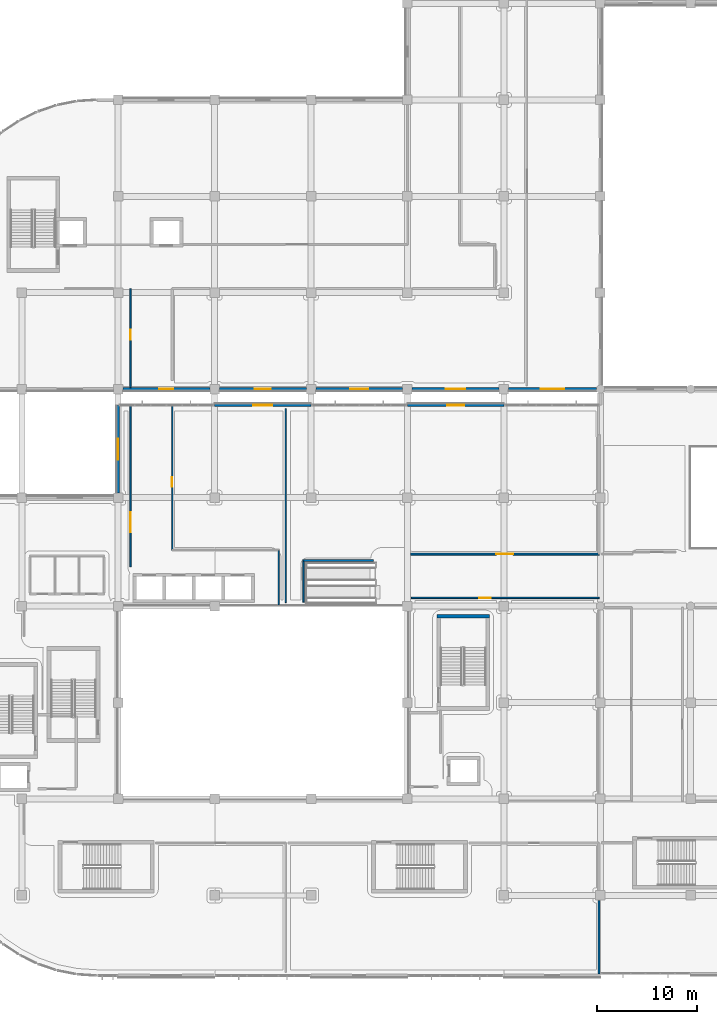
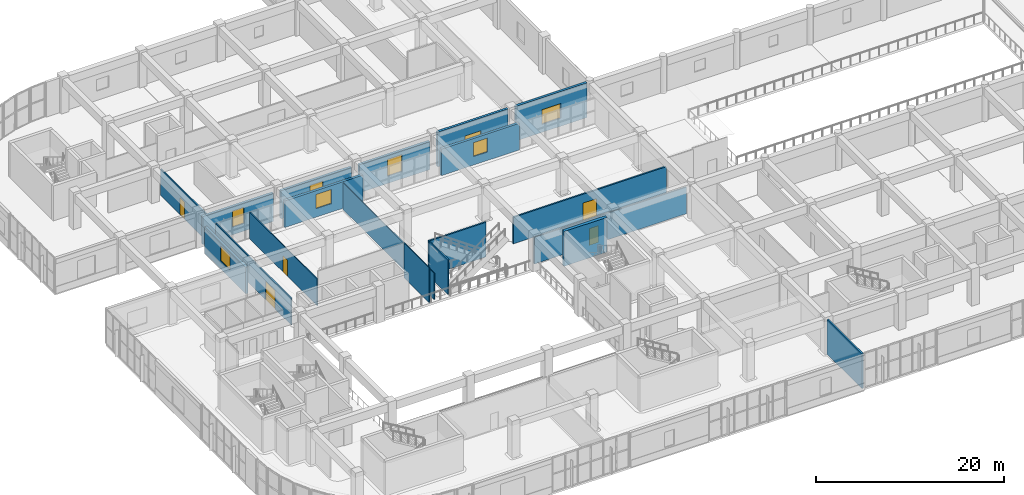
# One storey, part 53 of 86: 19 walls, 8 windows, 5 doors, 13 openings.
"""IFC4 building model written with IfcOpenShell, lengths in metres."""

from ifc_helpers import new_model, si_unit, direction, frame, frame_2d, origin, place, context, subcontext, project, spatial, rectangle, extrude, material, layer, layer_set, type_object, element, fill, save


model = new_model("IFC4")

# Units and contexts
model_context = context("Model", 3, precision=1e-05, world=origin(), true_north=direction((0.0, 1.0)))
body_context = subcontext(model_context, "Body", "Model", "MODEL_VIEW")
ifc_project = project(units=[si_unit("LENGTHUNIT", "METRE"), si_unit("AREAUNIT", "SQUARE_METRE"), si_unit("VOLUMEUNIT", "CUBIC_METRE"), si_unit("PLANEANGLEUNIT", "RADIAN"), si_unit("MASSUNIT", "GRAM", prefix="KILO")], contexts=[model_context])

# Site, building, storey
site_placement = place(None, origin())
site = spatial("IfcSite", under=ifc_project, at=site_placement, CompositionType="ELEMENT")
building_placement = place(site_placement, origin())
building = spatial("IfcBuilding", under=site, at=building_placement, Name="Cendralis Terraced Arcade", CompositionType="ELEMENT")
storey_placement = place(building_placement, frame((0.0, 0.0, 5.39990234375)))
storey = spatial("IfcBuildingStorey", under=building, at=storey_placement, Name="L01", CompositionType="ELEMENT", Elevation=5.39990234375)

# Walls
ifc_material_1 = material(Name="Gypsum plasterboard acoustic partition", Category="concrete")
ifc_layer_1 = layer(ifc_material_1, 0.199951171875, Name="WL-ACOU-200")
ifc_layer_set_1 = layer_set([ifc_layer_1], Name="Gypsum plasterboard acoustic partition")
wall_type_1 = type_object("IfcWallType", Name="WL-ACOU-200", PredefinedType="PARTITIONING", material=ifc_layer_set_1)
wall_1_placement = place(storey_placement, frame((67.080078125, 9.10498046875, 0.0), z_axis=(0.0, 0.0, 1.0), x_axis=(0.0, -1.0, 0.0)))
element("IfcWall", 1, at=wall_1_placement, inside=storey, type_object=wall_type_1, Name="Interior Partition Wall IW-L01-0341", PredefinedType="PARTITIONING", context=body_context, shape_type="SweptSolid", body=[
    extrude(rectangle(XDim=7.35498046875, YDim=0.199951171875, at=frame_2d((3.677490234375, 0.0))), origin(), (0.0, 0.0, 1.0), 4.505126953125),
])
ifc_material_2 = material(Name="Concrete f'c 42 MPa", Category="concrete")
ifc_layer_2 = layer(ifc_material_2, 0.3798828125, Name="WL-CORE-380")
ifc_layer_set_2 = layer_set([ifc_layer_2], Name="Concrete f'c 42 MPa")
wall_type_2 = type_object("IfcWallType", Name="WL-CORE-380", PredefinedType="SHEAR", material=ifc_layer_set_2)
wall_2_placement = place(storey_placement, frame((50.919921875, 37.389892578125, 0.0), z_axis=(0.0, 0.0, 1.0), x_axis=(1.0, 0.0, 0.0)))
element("IfcWall", 2, at=wall_2_placement, inside=storey, type_object=wall_type_2, Name="Stair Core Reinforced Concrete Shear Wall SW-ST-04-L01-N", PredefinedType="SHEAR", context=body_context, shape_type="SweptSolid", body=[
    extrude(rectangle(XDim=5.260009765625, YDim=0.3798828125, at=frame_2d((2.6298828125, 0.0))), origin(), (0.0, 0.0, 1.0), 4.505126953125),
])

# Wall, opening, window
ifc_material_3 = material(Name="Precast concrete f'c 40 MPa", Category="concrete")
ifc_layer_3 = layer(ifc_material_3, 0.300048828125, Name="WL-EXT-GRC-300")
ifc_layer_set_3 = layer_set([ifc_layer_3], Name="Precast concrete f'c 40 MPa")
wall_type_3 = type_object("IfcWallType", Name="WL-EXT-GRC-300", PredefinedType="SOLIDWALL", material=ifc_layer_set_3)
wall_3_placement = place(storey_placement, frame((66.802001953125, 60.0, 0.0), z_axis=(0.0, 0.0, 1.0), x_axis=(-1.0, 0.0, 0.0)))
wall_3 = element("IfcWall", 3, at=wall_3_placement, inside=storey, type_object=wall_type_3, Name="Exterior Architectural Wall EW-L01-0082", PredefinedType="SOLIDWALL", context=body_context, shape_type="SweptSolid", body=[
    extrude(rectangle(XDim=8.72900390625, YDim=0.300048828125, at=frame_2d((4.364501953125, 0.0))), origin(), (0.0, 0.0, 1.0), 4.505126953125),
])
opening_1_placement = place(wall_3_placement, frame((3.214599609375, 0.0, 1.050048828125)))
opening_1 = element("IfcOpeningElement", 4, at=opening_1_placement, cuts=wall_3, Name="Opening W-26", PredefinedType="OPENING", context=body_context, shape_type="SweptSolid", body=[
    extrude(rectangle(XDim=2.300048828125, YDim=1.89990234375, at=frame_2d((1.14990234375, 0.949951171875))), frame((0.0, 0.162109375, 0.0), z_axis=(0.0, -1.0, 0.0), x_axis=(1.0, 0.0, 0.0)), (0.0, 0.0, 1.0), 0.323974609375),
])
ifc_material_4 = material(Name="Tempered solar control laminated glass", Category="glass")
window_type_1 = type_object("IfcWindowType", Name="WN-F3-2300x1900", PartitioningType="SINGLE_PANEL", PredefinedType="WINDOW", material=ifc_material_4)
window_1_placement = place(opening_1_placement, origin())
window_1 = element("IfcWindow", 5, at=window_1_placement, inside=storey, type_object=window_type_1, Name="Exterior Solar-Control Window WN-L01-0041", OverallHeight=1.89990234375, OverallWidth=2.300048828125, PartitioningType="SINGLE_PANEL", PredefinedType="WINDOW", context=body_context, shape_type="SweptSolid", body=[
    extrude(rectangle(XDim=2.300048828125, YDim=1.89990234375, at=frame_2d((1.14990234375, 0.949951171875))), frame((0.0, 0.030029296875, 0.0), z_axis=(0.0, -1.0, 0.0), x_axis=(1.0, 0.0, 0.0)), (0.0, 0.0, 1.0), 0.06005859375),
])
fill(opening_1, window_1)

wall_4_placement = place(storey_placement, frame((57.126953125, 60.0, 0.0), z_axis=(0.0, 0.0, 1.0), x_axis=(-1.0, 0.0, 0.0)))
wall_4 = element("IfcWall", 6, at=wall_4_placement, inside=storey, type_object=wall_type_3, Name="Exterior Architectural Wall EW-L01-0083", PredefinedType="SOLIDWALL", context=body_context, shape_type="SweptSolid", body=[
    extrude(rectangle(XDim=8.654052734375, YDim=0.300048828125, at=frame_2d((4.3271484375, 0.0))), origin(), (0.0, 0.0, 1.0), 4.505126953125),
])
opening_2_placement = place(wall_4_placement, frame((3.35205078125, 0.0, 1.10009765625)))
opening_2 = element("IfcOpeningElement", 7, at=opening_2_placement, cuts=wall_4, Name="Opening W-27", PredefinedType="OPENING", context=body_context, shape_type="SweptSolid", body=[
    extrude(rectangle(XDim=1.949951171875, YDim=1.75, at=frame_2d((0.97509765625, 0.875))), frame((0.0, 0.162109375, 0.0), z_axis=(0.0, -1.0, 0.0), x_axis=(1.0, 0.0, 0.0)), (0.0, 0.0, 1.0), 0.323974609375),
])
window_type_2 = type_object("IfcWindowType", Name="WN-F3-1950x1750", PartitioningType="SINGLE_PANEL", PredefinedType="WINDOW", material=ifc_material_4)
window_2_placement = place(opening_2_placement, origin())
window_2 = element("IfcWindow", 8, at=window_2_placement, inside=storey, type_object=window_type_2, Name="Exterior Solar-Control Window WN-L01-0042", OverallHeight=1.75, OverallWidth=1.949951171875, PartitioningType="SINGLE_PANEL", PredefinedType="WINDOW", context=body_context, shape_type="SweptSolid", body=[
    extrude(rectangle(XDim=1.949951171875, YDim=1.75, at=frame_2d((0.97509765625, 0.875))), frame((0.0, 0.030029296875, 0.0), z_axis=(0.0, -1.0, 0.0), x_axis=(1.0, 0.0, 0.0)), (0.0, 0.0, 1.0), 0.06005859375),
])
fill(opening_2, window_2)

wall_5_placement = place(storey_placement, frame((47.527099609375, 60.0, 0.0), z_axis=(0.0, 0.0, 1.0), x_axis=(-1.0, 0.0, 0.0)))
wall_5 = element("IfcWall", 9, at=wall_5_placement, inside=storey, type_object=wall_type_3, Name="Exterior Architectural Wall EW-L01-0084", PredefinedType="SOLIDWALL", context=body_context, shape_type="SweptSolid", body=[
    extrude(rectangle(XDim=8.654052734375, YDim=0.300048828125, at=frame_2d((4.3271484375, 0.0))), origin(), (0.0, 0.0, 1.0), 3.655029296875),
])
opening_3_placement = place(wall_5_placement, frame((3.427001953125, 0.0, 0.949951171875)))
opening_3 = element("IfcOpeningElement", 10, at=opening_3_placement, cuts=wall_5, Name="Opening W-04", PredefinedType="OPENING", context=body_context, shape_type="SweptSolid", body=[
    extrude(rectangle(XDim=1.800048828125, YDim=2.199951171875, at=frame_2d((0.89990234375, 1.10009765625))), frame((0.0, 0.162109375, 0.0), z_axis=(0.0, -1.0, 0.0), x_axis=(1.0, 0.0, 0.0)), (0.0, 0.0, 1.0), 0.323974609375),
])
window_type_3 = type_object("IfcWindowType", Name="WN-F1-1800x2200", PartitioningType="SINGLE_PANEL", PredefinedType="WINDOW", material=ifc_material_4)
window_3_placement = place(opening_3_placement, origin())
window_3 = element("IfcWindow", 11, at=window_3_placement, inside=storey, type_object=window_type_3, Name="Exterior Solar-Control Window WN-L01-0043", OverallHeight=2.199951171875, OverallWidth=1.800048828125, PartitioningType="SINGLE_PANEL", PredefinedType="WINDOW", context=body_context, shape_type="SweptSolid", body=[
    extrude(rectangle(XDim=1.800048828125, YDim=2.199951171875, at=frame_2d((0.89990234375, 1.10009765625))), frame((0.0, 0.030029296875, 0.0), z_axis=(0.0, -1.0, 0.0), x_axis=(1.0, 0.0, 0.0)), (0.0, 0.0, 1.0), 0.06005859375),
])
fill(opening_3, window_3)

wall_6_placement = place(storey_placement, frame((37.927001953125, 60.0, 0.0), z_axis=(0.0, 0.0, 1.0), x_axis=(-1.0, 0.0, 0.0)))
wall_6 = element("IfcWall", 12, at=wall_6_placement, inside=storey, type_object=wall_type_3, Name="Exterior Architectural Wall EW-L01-0085", PredefinedType="SOLIDWALL", context=body_context, shape_type="SweptSolid", body=[
    extrude(rectangle(XDim=8.654052734375, YDim=0.300048828125, at=frame_2d((4.3271484375, 0.0))), origin(), (0.0, 0.0, 1.0), 3.655029296875),
])
opening_4_placement = place(wall_6_placement, frame((3.527099609375, 0.0, 1.0)))
opening_4 = element("IfcOpeningElement", 13, at=opening_4_placement, cuts=wall_6, Name="Opening W-05", PredefinedType="OPENING", context=body_context, shape_type="SweptSolid", body=[
    extrude(rectangle(XDim=1.60009765625, YDim=2.10009765625, at=frame_2d((0.800048828125, 1.050048828125))), frame((0.0, 0.162109375, 0.0), z_axis=(0.0, -1.0, 0.0), x_axis=(1.0, 0.0, 0.0)), (0.0, 0.0, 1.0), 0.323974609375),
])
window_type_4 = type_object("IfcWindowType", Name="WN-F1-1600x2100", PartitioningType="SINGLE_PANEL", PredefinedType="WINDOW", material=ifc_material_4)
window_4_placement = place(opening_4_placement, origin())
window_4 = element("IfcWindow", 14, at=window_4_placement, inside=storey, type_object=window_type_4, Name="Exterior Solar-Control Window WN-L01-0044", OverallHeight=2.10009765625, OverallWidth=1.60009765625, PartitioningType="SINGLE_PANEL", PredefinedType="WINDOW", context=body_context, shape_type="SweptSolid", body=[
    extrude(rectangle(XDim=1.60009765625, YDim=2.10009765625, at=frame_2d((0.800048828125, 1.050048828125))), frame((0.0, 0.030029296875, 0.0), z_axis=(0.0, -1.0, 0.0), x_axis=(1.0, 0.0, 0.0)), (0.0, 0.0, 1.0), 0.06005859375),
])
fill(opening_4, window_4)

wall_7_placement = place(storey_placement, frame((28.326904296875, 60.0, 0.0), z_axis=(0.0, 0.0, 1.0), x_axis=(-1.0, 0.0, 0.0)))
wall_7 = element("IfcWall", 15, at=wall_7_placement, inside=storey, type_object=wall_type_3, Name="Exterior Architectural Wall EW-L01-0086", PredefinedType="SOLIDWALL", context=body_context, shape_type="SweptSolid", body=[
    extrude(rectangle(XDim=8.65380859375, YDim=0.300048828125, at=frame_2d((4.326904296875, 0.0))), origin(), (0.0, 0.0, 1.0), 3.655029296875),
])
opening_5_placement = place(wall_7_placement, frame((3.626953125, 0.0, 1.0)))
opening_5 = element("IfcOpeningElement", 16, at=opening_5_placement, cuts=wall_7, Name="Opening W-06", PredefinedType="OPENING", context=body_context, shape_type="SweptSolid", body=[
    extrude(rectangle(XDim=1.39990234375, YDim=2.10009765625, at=frame_2d((0.699951171875, 1.050048828125))), frame((0.0, 0.162109375, 0.0), z_axis=(0.0, -1.0, 0.0), x_axis=(1.0, 0.0, 0.0)), (0.0, 0.0, 1.0), 0.323974609375),
])
window_type_5 = type_object("IfcWindowType", Name="WN-F1-1400x2100", PartitioningType="SINGLE_PANEL", PredefinedType="WINDOW", material=ifc_material_4)
window_5_placement = place(opening_5_placement, origin())
window_5 = element("IfcWindow", 17, at=window_5_placement, inside=storey, type_object=window_type_5, Name="Exterior Solar-Control Window WN-L01-0045", OverallHeight=2.10009765625, OverallWidth=1.39990234375, PartitioningType="SINGLE_PANEL", PredefinedType="WINDOW", context=body_context, shape_type="SweptSolid", body=[
    extrude(rectangle(XDim=1.39990234375, YDim=2.10009765625, at=frame_2d((0.699951171875, 1.050048828125))), frame((0.0, 0.030029296875, 0.0), z_axis=(0.0, -1.0, 0.0), x_axis=(1.0, 0.0, 0.0)), (0.0, 0.0, 1.0), 0.06005859375),
])
fill(opening_5, window_5)

wall_8_placement = place(storey_placement, frame((19.199951171875, 49.673095703125, 0.0), z_axis=(0.0, 0.0, 1.0), x_axis=(0.0, 1.0, 0.0)))
wall_8 = element("IfcWall", 18, at=wall_8_placement, inside=storey, type_object=wall_type_3, Name="Exterior Architectural Wall EW-L01-0129", PredefinedType="SOLIDWALL", context=body_context, shape_type="SweptSolid", body=[
    extrude(rectangle(XDim=8.726806640625, YDim=0.300048828125, at=frame_2d((4.36328125, 0.0))), origin(), (0.0, 0.0, 1.0), 3.445068359375),
])
opening_6_placement = place(wall_8_placement, frame((3.3134765625, 0.0, 1.050048828125)))
opening_6 = element("IfcOpeningElement", 19, at=opening_6_placement, cuts=wall_8, Name="Opening W-12", PredefinedType="OPENING", context=body_context, shape_type="SweptSolid", body=[
    extrude(rectangle(XDim=2.10009765625, YDim=1.949951171875, at=frame_2d((1.050048828125, 0.97509765625))), frame((0.0, 0.162109375, 0.0), z_axis=(0.0, -1.0, 0.0), x_axis=(1.0, 0.0, 0.0)), (0.0, 0.0, 1.0), 0.323974609375),
])
window_type_6 = type_object("IfcWindowType", Name="WN-F2-2100x1950", PartitioningType="SINGLE_PANEL", PredefinedType="WINDOW", material=ifc_material_4)
window_6_placement = place(opening_6_placement, origin())
window_6 = element("IfcWindow", 20, at=window_6_placement, inside=storey, type_object=window_type_6, Name="Exterior Solar-Control Window WN-L01-0080", OverallHeight=1.949951171875, OverallWidth=2.10009765625, PartitioningType="SINGLE_PANEL", PredefinedType="WINDOW", context=body_context, shape_type="SweptSolid", body=[
    extrude(rectangle(XDim=2.10009765625, YDim=1.949951171875, at=frame_2d((1.050048828125, 0.97509765625))), frame((0.0, 0.030029296875, 0.0), z_axis=(0.0, -1.0, 0.0), x_axis=(1.0, 0.0, 0.0)), (0.0, 0.0, 1.0), 0.06005859375),
])
fill(opening_6, window_6)

wall_9_placement = place(storey_placement, frame((28.800048828125, 58.39990234375, 0.0), z_axis=(0.0, 0.0, 1.0), x_axis=(1.0, 0.0, 0.0)))
wall_9 = element("IfcWall", 21, at=wall_9_placement, inside=storey, type_object=wall_type_3, Name="Exterior Architectural Wall EW-L01-0130", PredefinedType="SOLIDWALL", context=body_context, shape_type="SweptSolid", body=[
    extrude(rectangle(XDim=9.599853515625, YDim=0.300048828125, at=frame_2d((4.7998046875, 0.0))), origin(), (0.0, 0.0, 1.0), 3.445068359375),
])
opening_7_placement = place(wall_9_placement, frame((3.85009765625, 0.0, 1.10009765625)))
opening_7 = element("IfcOpeningElement", 22, at=opening_7_placement, cuts=wall_9, Name="Opening W-13", PredefinedType="OPENING", context=body_context, shape_type="SweptSolid", body=[
    extrude(rectangle(XDim=1.89990234375, YDim=1.85009765625, at=frame_2d((0.949951171875, 0.925048828125))), frame((0.0, 0.162109375, 0.0), z_axis=(0.0, -1.0, 0.0), x_axis=(1.0, 0.0, 0.0)), (0.0, 0.0, 1.0), 0.323974609375),
])
window_type_7 = type_object("IfcWindowType", Name="WN-F2-1900x1850", PartitioningType="SINGLE_PANEL", PredefinedType="WINDOW", material=ifc_material_4)
window_7_placement = place(opening_7_placement, origin())
window_7 = element("IfcWindow", 23, at=window_7_placement, inside=storey, type_object=window_type_7, Name="Exterior Solar-Control Window WN-L01-0081", OverallHeight=1.85009765625, OverallWidth=1.89990234375, PartitioningType="SINGLE_PANEL", PredefinedType="WINDOW", context=body_context, shape_type="SweptSolid", body=[
    extrude(rectangle(XDim=1.89990234375, YDim=1.85009765625, at=frame_2d((0.949951171875, 0.925048828125))), frame((0.0, 0.030029296875, 0.0), z_axis=(0.0, -1.0, 0.0), x_axis=(1.0, 0.0, 0.0)), (0.0, 0.0, 1.0), 0.06005859375),
])
fill(opening_7, window_7)

wall_10_placement = place(storey_placement, frame((48.0, 58.39990234375, 0.0), z_axis=(0.0, 0.0, 1.0), x_axis=(1.0, 0.0, 0.0)))
wall_10 = element("IfcWall", 24, at=wall_10_placement, inside=storey, type_object=wall_type_3, Name="Exterior Architectural Wall EW-L01-0131", PredefinedType="SOLIDWALL", context=body_context, shape_type="SweptSolid", body=[
    extrude(rectangle(XDim=9.60009765625, YDim=0.300048828125, at=frame_2d((4.800048828125, 0.0))), origin(), (0.0, 0.0, 1.0), 3.445068359375),
])
opening_8_placement = place(wall_10_placement, frame((3.949951171875, 0.0, 1.10009765625)))
opening_8 = element("IfcOpeningElement", 25, at=opening_8_placement, cuts=wall_10, Name="Opening W-14", PredefinedType="OPENING", context=body_context, shape_type="SweptSolid", body=[
    extrude(rectangle(XDim=1.699951171875, YDim=1.800048828125, at=frame_2d((0.85009765625, 0.89990234375))), frame((0.0, 0.162109375, 0.0), z_axis=(0.0, -1.0, 0.0), x_axis=(1.0, 0.0, 0.0)), (0.0, 0.0, 1.0), 0.323974609375),
])
window_type_8 = type_object("IfcWindowType", Name="WN-F2-1700x1800", PartitioningType="SINGLE_PANEL", PredefinedType="WINDOW", material=ifc_material_4)
window_8_placement = place(opening_8_placement, origin())
window_8 = element("IfcWindow", 26, at=window_8_placement, inside=storey, type_object=window_type_8, Name="Exterior Solar-Control Window WN-L01-0082", OverallHeight=1.800048828125, OverallWidth=1.699951171875, PartitioningType="SINGLE_PANEL", PredefinedType="WINDOW", context=body_context, shape_type="SweptSolid", body=[
    extrude(rectangle(XDim=1.699951171875, YDim=1.800048828125, at=frame_2d((0.85009765625, 0.89990234375))), frame((0.0, 0.030029296875, 0.0), z_axis=(0.0, -1.0, 0.0), x_axis=(1.0, 0.0, 0.0)), (0.0, 0.0, 1.0), 0.06005859375),
])
fill(opening_8, window_8)

# Walls
ifc_layer_4 = layer(ifc_material_1, 0.10791015625, Name="WL-PART-108")
ifc_layer_set_4 = layer_set([ifc_layer_4], Name="Gypsum plasterboard acoustic partition")
wall_type_4 = type_object("IfcWallType", Name="WL-PART-108", PredefinedType="PARTITIONING", material=ifc_layer_set_4)
wall_11_placement = place(storey_placement, frame((35.8798828125, 58.06005859375, 0.0), z_axis=(0.0, 0.0, 1.0), x_axis=(0.0, -1.0, 0.0)))
element("IfcWall", 27, at=wall_11_placement, inside=storey, type_object=wall_type_4, Name="Interior Partition Wall IW-L01-0337", PredefinedType="PARTITIONING", context=body_context, shape_type="SweptSolid", body=[
    extrude(rectangle(XDim=19.320068359375, YDim=0.10791015625, at=frame_2d((9.66015625, 0.0))), origin(), (0.0, 0.0, 1.0), 3.445068359375),
])
ifc_layer_5 = layer(ifc_material_1, 0.112060546875, Name="WL-PART-112")
ifc_layer_set_5 = layer_set([ifc_layer_5], Name="Gypsum plasterboard acoustic partition")
wall_type_5 = type_object("IfcWallType", Name="WL-PART-112", PredefinedType="PARTITIONING", material=ifc_layer_set_5)
wall_12_placement = place(storey_placement, frame((35.179931640625, 38.530029296875, 0.0), z_axis=(0.0, 0.0, 1.0), x_axis=(0.0, 1.0, 0.0)))
element("IfcWall", 28, at=wall_12_placement, inside=storey, type_object=wall_type_5, Name="Interior Partition Wall IW-L01-0336", PredefinedType="PARTITIONING", context=body_context, shape_type="SweptSolid", body=[
    extrude(rectangle(XDim=5.392578125, YDim=0.112060546875, at=frame_2d((2.6962890625, 0.0))), origin(), (0.0, 0.0, 1.0), 4.505126953125),
])

# Wall, opening, door
ifc_layer_6 = layer(ifc_material_1, 0.117919921875, Name="WL-PART-118")
ifc_layer_set_6 = layer_set([ifc_layer_6], Name="Gypsum plasterboard acoustic partition")
wall_type_6 = type_object("IfcWallType", Name="WL-PART-118", PredefinedType="PARTITIONING", material=ifc_layer_set_6)
wall_13_placement = place(storey_placement, frame((24.580078125, 43.97998046875, 0.0), z_axis=(0.0, 0.0, 1.0), x_axis=(0.0, 1.0, 0.0)))
wall_13 = element("IfcWall", 29, at=wall_13_placement, inside=storey, type_object=wall_type_6, Name="Interior Partition Wall IW-L01-0334", PredefinedType="PARTITIONING", context=body_context, shape_type="SweptSolid", body=[
    extrude(rectangle(XDim=14.360107421875, YDim=0.117919921875, at=frame_2d((7.18017578125, 0.0))), origin(), (0.0, 0.0, 1.0), 3.445068359375),
])
opening_9_placement = place(wall_13_placement, frame((6.31494140625, 0.0, 0.0)))
opening_9 = element("IfcOpeningElement", 30, at=opening_9_placement, cuts=wall_13, Name="Opening D-L01-095", PredefinedType="OPENING", context=body_context, shape_type="SweptSolid", body=[
    extrude(rectangle(XDim=0.949951171875, YDim=2.10009765625, at=frame_2d((0.47509765625, 1.050048828125))), frame((0.0, 0.07080078125, 0.0), z_axis=(0.0, -1.0, 0.0), x_axis=(1.0, 0.0, 0.0)), (0.0, 0.0, 1.0), 0.141845703125),
])
ifc_material_5 = material(Name="Solid core Andean oak veneer door leaf", Category="aluminium")
door_type_1 = type_object("IfcDoorType", Name="ID-RM-0950x2100", OperationType="NOTDEFINED", PredefinedType="DOOR", material=ifc_material_5)
door_1_placement = place(opening_9_placement, origin())
door_1 = element("IfcDoor", 31, at=door_1_placement, inside=storey, type_object=door_type_1, Name="Womenswear Flagship Sales Floor Door D-L01-095", OperationType="SINGLE_SWING_RIGHT", OverallHeight=2.10009765625, OverallWidth=0.949951171875, PredefinedType="DOOR", context=body_context, shape_type="SweptSolid", body=[
    extrude(rectangle(XDim=0.949951171875, YDim=2.10009765625, at=frame_2d((0.47509765625, 1.050048828125))), frame((0.0, 0.02490234375, 0.0), z_axis=(0.0, -1.0, 0.0), x_axis=(1.0, 0.0, 0.0)), (0.0, 0.0, 1.0), 0.050048828125),
])
fill(opening_9, door_1)

ifc_layer_7 = layer(ifc_material_1, 0.14208984375, Name="WL-PART-142")
ifc_layer_set_7 = layer_set([ifc_layer_7], Name="Gypsum plasterboard acoustic partition")
wall_type_7 = type_object("IfcWallType", Name="WL-PART-142", PredefinedType="PARTITIONING", material=ifc_layer_set_7)
wall_14_placement = place(storey_placement, frame((20.419921875, 58.340087890625, 0.0), z_axis=(0.0, 0.0, 1.0), x_axis=(0.0, -1.0, 0.0)))
wall_14 = element("IfcWall", 32, at=wall_14_placement, inside=storey, type_object=wall_type_7, Name="Interior Partition Wall IW-L01-0329", PredefinedType="PARTITIONING", context=body_context, shape_type="SweptSolid", body=[
    extrude(rectangle(XDim=16.03515625, YDim=0.14208984375, at=frame_2d((8.017578125, 0.0))), origin(), (0.0, 0.0, 1.0), 3.445068359375),
])
opening_10_placement = place(wall_14_placement, frame((10.607421875, 0.0, 0.0)))
opening_10 = element("IfcOpeningElement", 33, at=opening_10_placement, cuts=wall_14, Name="Opening D-L01-093", PredefinedType="OPENING", context=body_context, shape_type="SweptSolid", body=[
    extrude(rectangle(XDim=2.0, YDim=2.39990234375, at=frame_2d((1.0, 1.199951171875))), frame((0.0, 0.0830078125, 0.0), z_axis=(0.0, -1.0, 0.0), x_axis=(1.0, 0.0, 0.0)), (0.0, 0.0, 1.0), 0.166015625),
])
door_type_2 = type_object("IfcDoorType", Name="ID-DEP-2000x2400", OperationType="DOUBLE_DOOR_SINGLE_SWING", PredefinedType="DOOR", material=ifc_material_5)
door_2_placement = place(opening_10_placement, origin())
door_2 = element("IfcDoor", 34, at=door_2_placement, inside=storey, type_object=door_type_2, Name="Womenswear Flagship Sales Floor Door D-L01-093", OperationType="DOUBLE_DOOR_SINGLE_SWING", OverallHeight=2.39990234375, OverallWidth=2.0, PredefinedType="DOOR", context=body_context, shape_type="SweptSolid", body=[
    extrude(rectangle(XDim=2.0, YDim=2.39990234375, at=frame_2d((1.0, 1.199951171875))), frame((0.0, 0.02490234375, 0.0), z_axis=(0.0, -1.0, 0.0), x_axis=(1.0, 0.0, 0.0)), (0.0, 0.0, 1.0), 0.050048828125),
])
fill(opening_10, door_2)

ifc_layer_8 = layer(ifc_material_1, 0.14501953125, Name="WL-PART-145")
ifc_layer_set_8 = layer_set([ifc_layer_8], Name="Gypsum plasterboard acoustic partition")
wall_type_8 = type_object("IfcWallType", Name="WL-PART-145", PredefinedType="PARTITIONING", material=ifc_layer_set_8)
wall_15_placement = place(storey_placement, frame((20.419921875, 70.02001953125, 0.0), z_axis=(0.0, 0.0, 1.0), x_axis=(0.0, -1.0, 0.0)))
wall_15 = element("IfcWall", 35, at=wall_15_placement, inside=storey, type_object=wall_type_8, Name="Interior Partition Wall IW-L01-0371", PredefinedType="PARTITIONING", context=body_context, shape_type="SweptSolid", body=[
    extrude(rectangle(XDim=9.8701171875, YDim=0.14501953125, at=frame_2d((4.93505859375, 0.0))), origin(), (0.0, 0.0, 1.0), 3.445068359375),
])
opening_11_placement = place(wall_15_placement, frame((4.090087890625, 0.0, 0.0)))
opening_11 = element("IfcOpeningElement", 36, at=opening_11_placement, cuts=wall_15, Name="Opening D-L01-104", PredefinedType="OPENING", context=body_context, shape_type="SweptSolid", body=[
    extrude(rectangle(XDim=1.0, YDim=2.199951171875, at=frame_2d((0.5, 1.10009765625))), frame((0.0, 0.08447265625, 0.0), z_axis=(0.0, -1.0, 0.0), x_axis=(1.0, 0.0, 0.0)), (0.0, 0.0, 1.0), 0.1689453125),
])
door_type_3 = type_object("IfcDoorType", Name="ID-RM-1000x2200", OperationType="NOTDEFINED", PredefinedType="DOOR", material=ifc_material_5)
door_3_placement = place(opening_11_placement, origin())
door_3 = element("IfcDoor", 37, at=door_3_placement, inside=storey, type_object=door_type_3, Name="Womenswear Contemporary Sales Floor Door D-L01-104", OperationType="SINGLE_SWING_RIGHT", OverallHeight=2.199951171875, OverallWidth=1.0, PredefinedType="DOOR", context=body_context, shape_type="SweptSolid", body=[
    extrude(rectangle(XDim=1.0, YDim=2.199951171875, at=frame_2d((0.5, 1.10009765625))), frame((0.0, 0.02490234375, 0.0), z_axis=(0.0, -1.0, 0.0), x_axis=(1.0, 0.0, 0.0)), (0.0, 0.0, 1.0), 0.050048828125),
])
fill(opening_11, door_3)

ifc_layer_9 = layer(ifc_material_1, 0.154052734375, Name="WL-PART-154")
ifc_layer_set_9 = layer_set([ifc_layer_9], Name="Gypsum plasterboard acoustic partition")
wall_type_9 = type_object("IfcWallType", Name="WL-PART-154", PredefinedType="PARTITIONING", material=ifc_layer_set_9)
wall_16_placement = place(storey_placement, frame((48.37939453125, 39.219970703125, 0.0), z_axis=(0.0, 0.0, 1.0), x_axis=(1.0, 0.0, 0.0)))
wall_16 = element("IfcWall", 38, at=wall_16_placement, inside=storey, type_object=wall_type_9, Name="Interior Partition Wall IW-L01-0348", PredefinedType="PARTITIONING", context=body_context, shape_type="SweptSolid", body=[
    extrude(rectangle(XDim=18.70068359375, YDim=0.154052734375, at=frame_2d((9.350341796875, 0.0))), origin(), (0.0, 0.0, 1.0), 3.445068359375),
])
opening_12_placement = place(wall_16_placement, frame((6.775390625, 0.0, 0.0)))
opening_12 = element("IfcOpeningElement", 39, at=opening_12_placement, cuts=wall_16, Name="Opening D-L01-098", PredefinedType="OPENING", context=body_context, shape_type="SweptSolid", body=[
    extrude(rectangle(XDim=1.14990234375, YDim=2.199951171875, at=frame_2d((0.574951171875, 1.10009765625))), frame((0.0, 0.0888671875, 0.0), z_axis=(0.0, -1.0, 0.0), x_axis=(1.0, 0.0, 0.0)), (0.0, 0.0, 1.0), 0.177978515625),
])
door_type_4 = type_object("IfcDoorType", Name="ID-RM-1150x2200", OperationType="NOTDEFINED", PredefinedType="DOOR", material=ifc_material_5)
door_4_placement = place(opening_12_placement, origin())
door_4 = element("IfcDoor", 40, at=door_4_placement, inside=storey, type_object=door_type_4, Name="Luxury Leather and Accessories Gallery - Mezzanine Door D-L01-098", OperationType="SINGLE_SWING_RIGHT", OverallHeight=2.199951171875, OverallWidth=1.14990234375, PredefinedType="DOOR", context=body_context, shape_type="SweptSolid", body=[
    extrude(rectangle(XDim=1.14990234375, YDim=2.199951171875, at=frame_2d((0.574951171875, 1.10009765625))), frame((0.0, 0.02490234375, 0.0), z_axis=(0.0, -1.0, 0.0), x_axis=(1.0, 0.0, 0.0)), (0.0, 0.0, 1.0), 0.050048828125),
])
fill(opening_12, door_4)

# Walls
ifc_layer_10 = layer(ifc_material_1, 0.1650390625, Name="WL-PART-165")
ifc_layer_set_10 = layer_set([ifc_layer_10], Name="Gypsum plasterboard acoustic partition")
wall_type_10 = type_object("IfcWallType", Name="WL-PART-165", PredefinedType="PARTITIONING", material=ifc_layer_set_10)
wall_17_placement = place(storey_placement, frame((37.659912109375, 42.847412109375, 0.0), z_axis=(0.0, 0.0, 1.0), x_axis=(0.0, -1.0, 0.0)))
element("IfcWall", 41, at=wall_17_placement, inside=storey, type_object=wall_type_10, Name="Interior Partition Wall IW-L01-0347", PredefinedType="PARTITIONING", context=body_context, shape_type="SweptSolid", body=[
    extrude(rectangle(XDim=4.04736328125, YDim=0.1650390625, at=frame_2d((2.023681640625, 0.0))), origin(), (0.0, 0.0, 1.0), 4.505126953125),
])
ifc_layer_11 = layer(ifc_material_1, 0.18505859375, Name="WL-PART-185")
ifc_layer_set_11 = layer_set([ifc_layer_11], Name="Gypsum plasterboard acoustic partition")
wall_type_11 = type_object("IfcWallType", Name="WL-PART-185", PredefinedType="PARTITIONING", material=ifc_layer_set_11)
wall_18_placement = place(storey_placement, frame((44.6181640625, 42.93994140625, 0.0), z_axis=(0.0, 0.0, 1.0), x_axis=(-1.0, 0.0, 0.0)))
element("IfcWall", 42, at=wall_18_placement, inside=storey, type_object=wall_type_11, Name="Interior Partition Wall IW-L01-0343", PredefinedType="PARTITIONING", context=body_context, shape_type="SweptSolid", body=[
    extrude(rectangle(XDim=7.040771484375, YDim=0.18505859375, at=frame_2d((3.5205078125, 0.0))), origin(), (0.0, 0.0, 1.0), 4.505126953125),
])

# Wall, opening, door
ifc_layer_12 = layer(ifc_material_1, 0.18994140625, Name="WL-PART-190")
ifc_layer_set_12 = layer_set([ifc_layer_12], Name="Gypsum plasterboard acoustic partition")
wall_type_12 = type_object("IfcWallType", Name="WL-PART-190", PredefinedType="PARTITIONING", material=ifc_layer_set_12)
wall_19_placement = place(storey_placement, frame((67.080078125, 43.580078125, 0.0), z_axis=(0.0, 0.0, 1.0), x_axis=(-1.0, 0.0, 0.0)))
wall_19 = element("IfcWall", 43, at=wall_19_placement, inside=storey, type_object=wall_type_12, Name="Interior Partition Wall IW-L01-0342", PredefinedType="PARTITIONING", context=body_context, shape_type="SweptSolid", body=[
    extrude(rectangle(XDim=18.773193359375, YDim=0.18994140625, at=frame_2d((9.38671875, 0.0))), origin(), (0.0, 0.0, 1.0), 3.445068359375),
])
opening_13_placement = place(wall_19_placement, frame((8.53662109375, 0.0, 0.0)))
opening_13 = element("IfcOpeningElement", 44, at=opening_13_placement, cuts=wall_19, Name="Opening D-L01-097", PredefinedType="OPENING", context=body_context, shape_type="SweptSolid", body=[
    extrude(rectangle(XDim=1.699951171875, YDim=2.300048828125, at=frame_2d((0.85009765625, 1.14990234375))), frame((0.0, 0.10693359375, 0.0), z_axis=(0.0, -1.0, 0.0), x_axis=(1.0, 0.0, 0.0)), (0.0, 0.0, 1.0), 0.2138671875),
])
door_type_5 = type_object("IfcDoorType", Name="ID-DEP-1700x2300", OperationType="DOUBLE_DOOR_SINGLE_SWING", PredefinedType="DOOR", material=ifc_material_5)
door_5_placement = place(opening_13_placement, origin())
door_5 = element("IfcDoor", 45, at=door_5_placement, inside=storey, type_object=door_type_5, Name="Luxury Leather and Accessories Gallery - Mezzanine Door D-L01-097", OperationType="DOUBLE_DOOR_SINGLE_SWING", OverallHeight=2.300048828125, OverallWidth=1.699951171875, PredefinedType="DOOR", context=body_context, shape_type="SweptSolid", body=[
    extrude(rectangle(XDim=1.699951171875, YDim=2.300048828125, at=frame_2d((0.85009765625, 1.14990234375))), frame((0.0, 0.02490234375, 0.0), z_axis=(0.0, -1.0, 0.0), x_axis=(1.0, 0.0, 0.0)), (0.0, 0.0, 1.0), 0.050048828125),
])
fill(opening_13, door_5)

save(model, "model.ifc")
